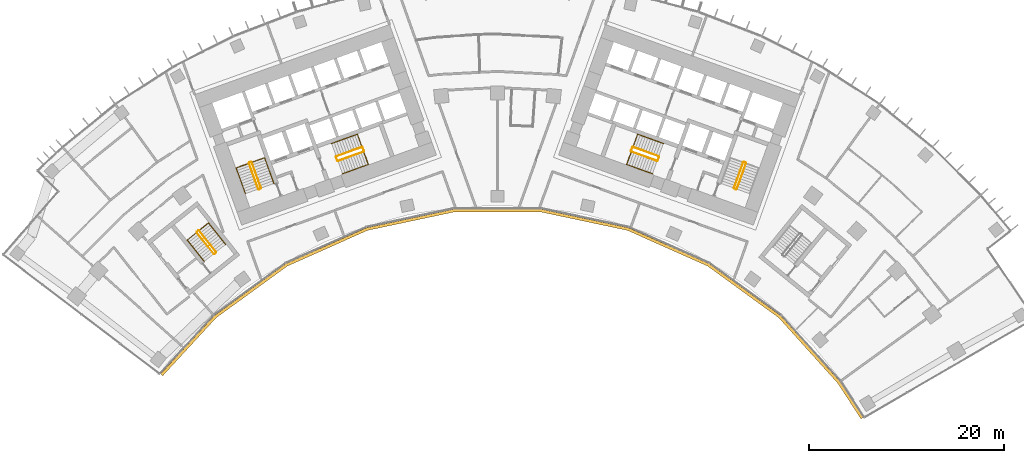
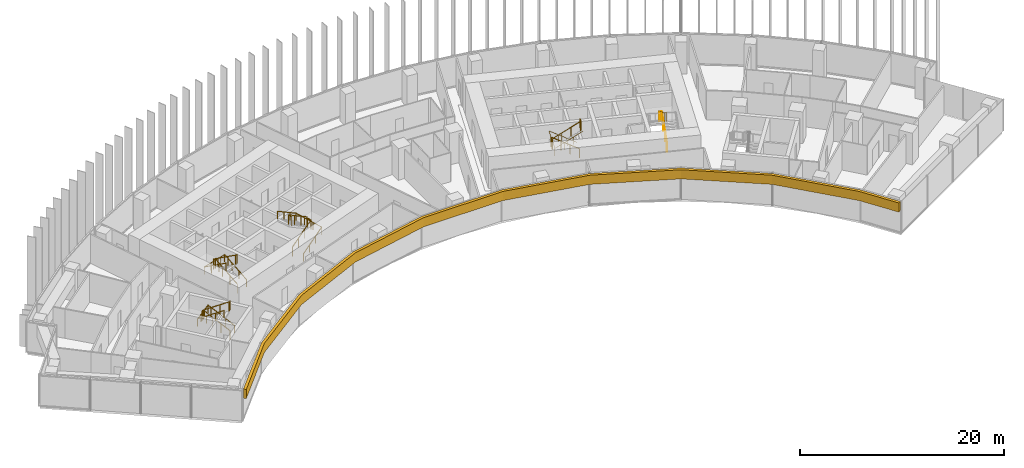
# One storey, part 22 of 23: 14 railings, 1 covering.
"""IFC4 building model written with IfcOpenShell, lengths in metres."""

from ifc_helpers import new_model, si_unit, direction, frame, origin, origin_2d, place, context, subcontext, project, spatial, polyline, circle, outline, extrude, material, layer, layer_set, type_object, element, save


model = new_model("IFC4")

# Units and contexts
model_context = context("Model", 3, precision=1e-05, world=origin(), true_north=direction((0.0, 1.0)))
body_context = subcontext(model_context, "Body", "Model", "MODEL_VIEW")
ifc_project = project(units=[si_unit("LENGTHUNIT", "METRE"), si_unit("AREAUNIT", "SQUARE_METRE"), si_unit("VOLUMEUNIT", "CUBIC_METRE"), si_unit("PLANEANGLEUNIT", "RADIAN"), si_unit("MASSUNIT", "GRAM", prefix="KILO")], contexts=[model_context])

# Site, building, storey
site_placement = place(None, origin())
site = spatial("IfcSite", under=ifc_project, at=site_placement, CompositionType="ELEMENT")
building_placement = place(site_placement, origin())
building = spatial("IfcBuilding", under=site, at=building_placement, Name="Stone Belt Terrace Tower", CompositionType="ELEMENT")
storey_placement = place(building_placement, frame((0.0, 0.0, 98.39990234375)))
storey = spatial("IfcBuildingStorey", under=building, at=storey_placement, Name="L23", CompositionType="ELEMENT", Elevation=98.39990234375)

# Railings
ifc_material_1 = material(Name="Structural steel C345", Category="steel")
railing_type_1 = type_object("IfcRailingType", Name="Stair guard 1100", PredefinedType="GUARDRAIL", material=ifc_material_1)
railing_1_placement = place(storey_placement, frame((-24.2119140625, 45.276123046875, 0.1728515625)))
element("IfcRailing", 1, at=railing_1_placement, inside=storey, type_object=railing_type_1, Name="L23 ST1A stair guard 1", PredefinedType="GUARDRAIL", context=body_context, shape_type="SweptSolid", body=[
    extrude(circle(Radius=0.02392578125, at=origin_2d()), frame((0.0, 0.0, 1.076171875), z_axis=(-0.288228637646, 0.800791768495, 0.525030280985), x_axis=(-0.940908529223, -0.338660803216, 0.0)), (0.0, 0.0, 1.0), 3.289794921875),
    extrude(circle(Radius=0.02392578125, at=origin_2d()), frame((-0.9482421875, 2.634521484375, 2.80322265625), z_axis=(-0.905209821074, 0.424964916, 0.0), x_axis=(-0.424964916, -0.905209821074, 0.0)), (0.0, 0.0, 1.0), 0.070556640625),
    extrude(circle(Radius=0.02392578125, at=origin_2d()), frame((-1.01220703125, 2.66455078125, 2.80322265625), z_axis=(-0.941105063269, -0.338114270461, 0.0), x_axis=(0.338114270461, -0.941105063269, 0.0)), (0.0, 0.0, 1.0), 0.199951171875),
    extrude(circle(Radius=0.02099609375, at=origin_2d()), origin(), (0.0, 0.0, 1.0), 1.052001953125),
    extrude(circle(Radius=0.02099609375, at=origin_2d()), frame((-0.316162109375, 0.878173828125, 0.57568359375)), (0.0, 0.0, 1.0), 1.052001953125),
    extrude(circle(Radius=0.02099609375, at=origin_2d()), frame((-0.632080078125, 1.75634765625, 1.151611328125)), (0.0, 0.0, 1.0), 1.052001953125),
    extrude(circle(Radius=0.02099609375, at=origin_2d()), frame((-0.9482421875, 2.634521484375, 1.727294921875)), (0.0, 0.0, 1.0), 1.052001953125),
    extrude(circle(Radius=0.02099609375, at=origin_2d()), frame((-1.01220703125, 2.66455078125, 1.727294921875)), (0.0, 0.0, 1.0), 1.052001953125),
    extrude(circle(Radius=0.02099609375, at=origin_2d()), frame((-1.200439453125, 2.596923828125, 1.727294921875)), (0.0, 0.0, 1.0), 1.052001953125),
])
railing_2_placement = place(storey_placement, frame((-25.4423828125, 47.80908203125, 2.07275390625)))
element("IfcRailing", 2, at=railing_2_placement, inside=storey, type_object=railing_type_1, Name="L23 ST1A stair guard 2", PredefinedType="GUARDRAIL", context=body_context, shape_type="SweptSolid", body=[
    extrude(circle(Radius=0.02392578125, at=origin_2d()), frame((0.0, 0.0, 1.076171875), z_axis=(0.288228637646, -0.800791768495, 0.525030280985), x_axis=(0.940908529223, 0.338660803216, 0.0)), (0.0, 0.0, 1.0), 3.289794921875),
    extrude(circle(Radius=0.02392578125, at=origin_2d()), frame((0.9482421875, -2.634521484375, 2.80322265625), z_axis=(0.903878284585, -0.427789722475, 0.0), x_axis=(0.427789722475, 0.903878284585, 0.0)), (0.0, 0.0, 1.0), 0.07080078125),
    extrude(circle(Radius=0.02392578125, at=origin_2d()), frame((1.01220703125, -2.664794921875, 2.80322265625), z_axis=(0.940575576748, 0.339584429008, 0.0), x_axis=(-0.339584429008, 0.940575576748, 0.0)), (0.0, 0.0, 1.0), 0.199951171875),
    extrude(circle(Radius=0.02099609375, at=origin_2d()), origin(), (0.0, 0.0, 1.0), 1.052001953125),
    extrude(circle(Radius=0.02099609375, at=origin_2d()), frame((0.316162109375, -0.878173828125, 0.57568359375)), (0.0, 0.0, 1.0), 1.052001953125),
    extrude(circle(Radius=0.02099609375, at=origin_2d()), frame((0.632080078125, -1.75634765625, 1.151611328125)), (0.0, 0.0, 1.0), 1.052001953125),
    extrude(circle(Radius=0.02099609375, at=origin_2d()), frame((0.9482421875, -2.634521484375, 1.727294921875)), (0.0, 0.0, 1.0), 1.052001953125),
    extrude(circle(Radius=0.02099609375, at=origin_2d()), frame((1.01220703125, -2.664794921875, 1.727294921875)), (0.0, 0.0, 1.0), 1.052001953125),
    extrude(circle(Radius=0.02099609375, at=origin_2d()), frame((1.2001953125, -2.596923828125, 1.727294921875)), (0.0, 0.0, 1.0), 1.052001953125),
])
railing_3_placement = place(storey_placement, frame((-16.33837890625, 48.056640625, 0.1728515625)))
element("IfcRailing", 3, at=railing_3_placement, inside=storey, type_object=railing_type_1, Name="L23 ST2A stair guard 1", PredefinedType="GUARDRAIL", context=body_context, shape_type="SweptSolid", body=[
    extrude(circle(Radius=0.02392578125, at=origin_2d()), frame((0.0, 0.0, 1.076171875), z_axis=(0.800808895155, 0.288160591223, 0.52504150989), x_axis=(-0.338583606334, 0.940936311087, 0.0)), (0.0, 0.0, 1.0), 3.289794921875),
    extrude(circle(Radius=0.02392578125, at=origin_2d()), frame((2.634521484375, 0.947998046875, 2.80322265625), z_axis=(0.427789722475, 0.903878284585, 0.0), x_axis=(-0.903878284585, 0.427789722475, 0.0)), (0.0, 0.0, 1.0), 0.07080078125),
    extrude(circle(Radius=0.02392578125, at=origin_2d()), frame((2.664794921875, 1.011962890625, 2.80322265625), z_axis=(-0.338654645739, 0.940910745459, 0.0), x_axis=(-0.940910745459, -0.338654645739, 0.0)), (0.0, 0.0, 1.0), 0.400146484375),
    extrude(circle(Radius=0.02099609375, at=origin_2d()), origin(), (0.0, 0.0, 1.0), 1.052001953125),
    extrude(circle(Radius=0.02099609375, at=origin_2d()), frame((0.878173828125, 0.31591796875, 0.57568359375)), (0.0, 0.0, 1.0), 1.052001953125),
    extrude(circle(Radius=0.02099609375, at=origin_2d()), frame((1.75634765625, 0.632080078125, 1.151611328125)), (0.0, 0.0, 1.0), 1.052001953125),
    extrude(circle(Radius=0.02099609375, at=origin_2d()), frame((2.634521484375, 0.947998046875, 1.727294921875)), (0.0, 0.0, 1.0), 1.052001953125),
    extrude(circle(Radius=0.02099609375, at=origin_2d()), frame((2.664794921875, 1.011962890625, 1.727294921875)), (0.0, 0.0, 1.0), 1.052001953125),
    extrude(circle(Radius=0.02099609375, at=origin_2d()), frame((2.529296875, 1.388427734375, 1.727294921875)), (0.0, 0.0, 1.0), 1.052001953125),
])
railing_4_placement = place(storey_placement, frame((-13.873046875, 49.47509765625, 2.07275390625)))
element("IfcRailing", 4, at=railing_4_placement, inside=storey, type_object=railing_type_1, Name="L23 ST2A stair guard 2", PredefinedType="GUARDRAIL", context=body_context, shape_type="SweptSolid", body=[
    extrude(circle(Radius=0.02392578125, at=origin_2d()), frame((0.0, 0.0, 1.076171875), z_axis=(-0.800808895155, -0.288160591223, 0.52504150989), x_axis=(0.338583606334, -0.940936311087, 0.0)), (0.0, 0.0, 1.0), 3.289794921875),
    extrude(circle(Radius=0.02392578125, at=origin_2d()), frame((-2.634521484375, -0.947998046875, 2.80322265625), z_axis=(-0.427789722475, -0.903878284585, 0.0), x_axis=(0.903878284585, -0.427789722475, 0.0)), (0.0, 0.0, 1.0), 0.07080078125),
    extrude(circle(Radius=0.02392578125, at=origin_2d()), frame((-2.664794921875, -1.011962890625, 2.80322265625), z_axis=(0.338654645739, -0.940910745459, 0.0), x_axis=(0.940910745459, 0.338654645739, 0.0)), (0.0, 0.0, 1.0), 0.400146484375),
    extrude(circle(Radius=0.02099609375, at=origin_2d()), origin(), (0.0, 0.0, 1.0), 1.052001953125),
    extrude(circle(Radius=0.02099609375, at=origin_2d()), frame((-0.878173828125, -0.31591796875, 0.57568359375)), (0.0, 0.0, 1.0), 1.052001953125),
    extrude(circle(Radius=0.02099609375, at=origin_2d()), frame((-1.75634765625, -0.632080078125, 1.151611328125)), (0.0, 0.0, 1.0), 1.052001953125),
    extrude(circle(Radius=0.02099609375, at=origin_2d()), frame((-2.634521484375, -0.947998046875, 1.727294921875)), (0.0, 0.0, 1.0), 1.052001953125),
    extrude(circle(Radius=0.02099609375, at=origin_2d()), frame((-2.664794921875, -1.011962890625, 1.727294921875)), (0.0, 0.0, 1.0), 1.052001953125),
    extrude(circle(Radius=0.02099609375, at=origin_2d()), frame((-2.529296875, -1.388427734375, 1.727294921875)), (0.0, 0.0, 1.0), 1.052001953125),
])
railing_5_placement = place(storey_placement, frame((24.494140625, 45.174560546875, 0.1728515625)))
element("IfcRailing", 5, at=railing_5_placement, inside=storey, type_object=railing_type_1, Name="L23 ST1B stair guard 1", PredefinedType="GUARDRAIL", context=body_context, shape_type="SweptSolid", body=[
    extrude(circle(Radius=0.02392578125, at=origin_2d()), frame((0.0, 0.0, 1.076171875), z_axis=(0.288228637646, 0.800791768495, 0.525030280985), x_axis=(-0.940908529223, 0.338660803216, 0.0)), (0.0, 0.0, 1.0), 3.289794921875),
    extrude(circle(Radius=0.02392578125, at=origin_2d()), frame((0.9482421875, 2.634521484375, 2.80322265625), z_axis=(-0.424964916, 0.905209821074, 0.0), x_axis=(-0.905209821074, -0.424964916, 0.0)), (0.0, 0.0, 1.0), 0.070556640625),
    extrude(circle(Radius=0.02392578125, at=origin_2d()), frame((0.918212890625, 2.698486328125, 2.80322265625), z_axis=(-0.941105063269, 0.338114270461, 0.0), x_axis=(-0.338114270461, -0.941105063269, 0.0)), (0.0, 0.0, 1.0), 0.199951171875),
    extrude(circle(Radius=0.02099609375, at=origin_2d()), origin(), (0.0, 0.0, 1.0), 1.052001953125),
    extrude(circle(Radius=0.02099609375, at=origin_2d()), frame((0.316162109375, 0.878173828125, 0.57568359375)), (0.0, 0.0, 1.0), 1.052001953125),
    extrude(circle(Radius=0.02099609375, at=origin_2d()), frame((0.632080078125, 1.75634765625, 1.151611328125)), (0.0, 0.0, 1.0), 1.052001953125),
    extrude(circle(Radius=0.02099609375, at=origin_2d()), frame((0.9482421875, 2.634521484375, 1.727294921875)), (0.0, 0.0, 1.0), 1.052001953125),
    extrude(circle(Radius=0.02099609375, at=origin_2d()), frame((0.918212890625, 2.698486328125, 1.727294921875)), (0.0, 0.0, 1.0), 1.052001953125),
    extrude(circle(Radius=0.02099609375, at=origin_2d()), frame((0.72998046875, 2.76611328125, 1.727294921875)), (0.0, 0.0, 1.0), 1.052001953125),
])
railing_6_placement = place(storey_placement, frame((25.16015625, 47.91064453125, 2.07275390625)))
element("IfcRailing", 6, at=railing_6_placement, inside=storey, type_object=railing_type_1, Name="L23 ST1B stair guard 2", PredefinedType="GUARDRAIL", context=body_context, shape_type="SweptSolid", body=[
    extrude(circle(Radius=0.02392578125, at=origin_2d()), frame((0.0, 0.0, 1.076171875), z_axis=(-0.288228637646, -0.800791768495, 0.525030280985), x_axis=(0.940908529223, -0.338660803216, 0.0)), (0.0, 0.0, 1.0), 3.289794921875),
    extrude(circle(Radius=0.02392578125, at=origin_2d()), frame((-0.9482421875, -2.634521484375, 2.80322265625), z_axis=(0.427789722475, -0.903878284585, 0.0), x_axis=(0.903878284585, 0.427789722475, 0.0)), (0.0, 0.0, 1.0), 0.07080078125),
    extrude(circle(Radius=0.02392578125, at=origin_2d()), frame((-0.91796875, -2.698486328125, 2.80322265625), z_axis=(0.940575576748, -0.339584429008, 0.0), x_axis=(0.339584429008, 0.940575576748, 0.0)), (0.0, 0.0, 1.0), 0.199951171875),
    extrude(circle(Radius=0.02099609375, at=origin_2d()), origin(), (0.0, 0.0, 1.0), 1.052001953125),
    extrude(circle(Radius=0.02099609375, at=origin_2d()), frame((-0.316162109375, -0.878173828125, 0.57568359375)), (0.0, 0.0, 1.0), 1.052001953125),
    extrude(circle(Radius=0.02099609375, at=origin_2d()), frame((-0.632080078125, -1.75634765625, 1.151611328125)), (0.0, 0.0, 1.0), 1.052001953125),
    extrude(circle(Radius=0.02099609375, at=origin_2d()), frame((-0.9482421875, -2.634521484375, 1.727294921875)), (0.0, 0.0, 1.0), 1.052001953125),
    extrude(circle(Radius=0.02099609375, at=origin_2d()), frame((-0.91796875, -2.698486328125, 1.727294921875)), (0.0, 0.0, 1.0), 1.052001953125),
    extrude(circle(Radius=0.02099609375, at=origin_2d()), frame((-0.72998046875, -2.766357421875, 1.727294921875)), (0.0, 0.0, 1.0), 1.052001953125),
])
railing_7_placement = place(storey_placement, frame((16.507568359375, 48.527099609375, 0.1728515625)))
element("IfcRailing", 7, at=railing_7_placement, inside=storey, type_object=railing_type_1, Name="L23 ST2B stair guard 1", PredefinedType="GUARDRAIL", context=body_context, shape_type="SweptSolid", body=[
    extrude(circle(Radius=0.02392578125, at=origin_2d()), frame((0.0, 0.0, 1.076171875), z_axis=(-0.800808895155, 0.288160591223, 0.52504150989), x_axis=(-0.338583606334, -0.940936311087, 0.0)), (0.0, 0.0, 1.0), 3.289794921875),
    extrude(circle(Radius=0.02392578125, at=origin_2d()), frame((-2.634521484375, 0.947998046875, 2.80322265625), z_axis=(-0.905209821074, -0.424964916, 0.0), x_axis=(0.424964916, -0.905209821074, 0.0)), (0.0, 0.0, 1.0), 0.070556640625),
    extrude(circle(Radius=0.02392578125, at=origin_2d()), frame((-2.698486328125, 0.91796875, 2.80322265625), z_axis=(-0.338654645739, -0.940910745459, 0.0), x_axis=(0.940910745459, -0.338654645739, 0.0)), (0.0, 0.0, 1.0), 0.400146484375),
    extrude(circle(Radius=0.02099609375, at=origin_2d()), origin(), (0.0, 0.0, 1.0), 1.052001953125),
    extrude(circle(Radius=0.02099609375, at=origin_2d()), frame((-0.878173828125, 0.31591796875, 0.57568359375)), (0.0, 0.0, 1.0), 1.052001953125),
    extrude(circle(Radius=0.02099609375, at=origin_2d()), frame((-1.75634765625, 0.632080078125, 1.151611328125)), (0.0, 0.0, 1.0), 1.052001953125),
    extrude(circle(Radius=0.02099609375, at=origin_2d()), frame((-2.634521484375, 0.947998046875, 1.727294921875)), (0.0, 0.0, 1.0), 1.052001953125),
    extrude(circle(Radius=0.02099609375, at=origin_2d()), frame((-2.698486328125, 0.91796875, 1.727294921875)), (0.0, 0.0, 1.0), 1.052001953125),
    extrude(circle(Radius=0.02099609375, at=origin_2d()), frame((-2.833984375, 0.54150390625, 1.727294921875)), (0.0, 0.0, 1.0), 1.052001953125),
])
railing_8_placement = place(storey_placement, frame((13.703857421875, 49.004638671875, 2.07275390625)))
element("IfcRailing", 8, at=railing_8_placement, inside=storey, type_object=railing_type_1, Name="L23 ST2B stair guard 2", PredefinedType="GUARDRAIL", context=body_context, shape_type="SweptSolid", body=[
    extrude(circle(Radius=0.02392578125, at=origin_2d()), frame((0.0, 0.0, 1.076171875), z_axis=(0.800808895155, -0.288160591223, 0.52504150989), x_axis=(0.338583606334, 0.940936311087, 0.0)), (0.0, 0.0, 1.0), 3.289794921875),
    extrude(circle(Radius=0.02392578125, at=origin_2d()), frame((2.634521484375, -0.947998046875, 2.80322265625), z_axis=(0.905209821074, 0.424964916, 0.0), x_axis=(-0.424964916, 0.905209821074, 0.0)), (0.0, 0.0, 1.0), 0.070556640625),
    extrude(circle(Radius=0.02392578125, at=origin_2d()), frame((2.698486328125, -0.91796875, 2.80322265625), z_axis=(0.338654645739, 0.940910745459, 0.0), x_axis=(-0.940910745459, 0.338654645739, 0.0)), (0.0, 0.0, 1.0), 0.400146484375),
    extrude(circle(Radius=0.02099609375, at=origin_2d()), origin(), (0.0, 0.0, 1.0), 1.052001953125),
    extrude(circle(Radius=0.02099609375, at=origin_2d()), frame((0.878173828125, -0.31591796875, 0.57568359375)), (0.0, 0.0, 1.0), 1.052001953125),
    extrude(circle(Radius=0.02099609375, at=origin_2d()), frame((1.75634765625, -0.632080078125, 1.151611328125)), (0.0, 0.0, 1.0), 1.052001953125),
    extrude(circle(Radius=0.02099609375, at=origin_2d()), frame((2.634521484375, -0.947998046875, 1.727294921875)), (0.0, 0.0, 1.0), 1.052001953125),
    extrude(circle(Radius=0.02099609375, at=origin_2d()), frame((2.698486328125, -0.91796875, 1.727294921875)), (0.0, 0.0, 1.0), 1.052001953125),
    extrude(circle(Radius=0.02099609375, at=origin_2d()), frame((2.833984375, -0.54150390625, 1.727294921875)), (0.0, 0.0, 1.0), 1.052001953125),
])
railing_9_placement = place(storey_placement, frame((-28.814208984375, 38.734619140625, 0.1728515625)))
element("IfcRailing", 9, at=railing_9_placement, inside=storey, type_object=railing_type_1, Name="L23 ST3A stair guard 1", PredefinedType="GUARDRAIL", context=body_context, shape_type="SweptSolid", body=[
    extrude(circle(Radius=0.02392578125, at=origin_2d()), frame((0.0, 0.0, 1.076171875), z_axis=(-0.530306321799, 0.665665785969, 0.525037395288), x_axis=(-0.782143211408, -0.623098705543, 0.0)), (0.0, 0.0, 1.0), 3.289794921875),
    extrude(circle(Radius=0.02392578125, at=origin_2d()), frame((-1.74462890625, 2.18994140625, 2.80322265625), z_axis=(-0.993883734674, 0.110431526075, 0.0), x_axis=(-0.110431526075, -0.993883734674, 0.0)), (0.0, 0.0, 1.0), 0.07080078125),
    extrude(circle(Radius=0.02392578125, at=origin_2d()), frame((-1.81494140625, 2.19775390625, 2.80322265625), z_axis=(-0.782533463299, -0.622608527742, 0.0), x_axis=(0.622608527742, -0.782533463299, 0.0)), (0.0, 0.0, 1.0), 0.199951171875),
    extrude(circle(Radius=0.02099609375, at=origin_2d()), origin(), (0.0, 0.0, 1.0), 1.052001953125),
    extrude(circle(Radius=0.02099609375, at=origin_2d()), frame((-0.58154296875, 0.72998046875, 0.57568359375)), (0.0, 0.0, 1.0), 1.052001953125),
    extrude(circle(Radius=0.02099609375, at=origin_2d()), frame((-1.1630859375, 1.4599609375, 1.151611328125)), (0.0, 0.0, 1.0), 1.052001953125),
    extrude(circle(Radius=0.02099609375, at=origin_2d()), frame((-1.74462890625, 2.18994140625, 1.727294921875)), (0.0, 0.0, 1.0), 1.052001953125),
    extrude(circle(Radius=0.02099609375, at=origin_2d()), frame((-1.81494140625, 2.19775390625, 1.727294921875)), (0.0, 0.0, 1.0), 1.052001953125),
    extrude(circle(Radius=0.02099609375, at=origin_2d()), frame((-1.971435546875, 2.0732421875, 1.727294921875)), (0.0, 0.0, 1.0), 1.052001953125),
])
railing_10_placement = place(storey_placement, frame((-30.793701171875, 40.737548828125, 2.07275390625)))
element("IfcRailing", 10, at=railing_10_placement, inside=storey, type_object=railing_type_1, Name="L23 ST3A stair guard 2", PredefinedType="GUARDRAIL", context=body_context, shape_type="SweptSolid", body=[
    extrude(circle(Radius=0.02392578125, at=origin_2d()), frame((0.0, 0.0, 1.076171875), z_axis=(0.530359659125, -0.665639588968, 0.525016732659), x_axis=(0.782100716982, 0.62315204284, 0.0)), (0.0, 0.0, 1.0), 3.2900390625),
    extrude(circle(Radius=0.02392578125, at=origin_2d()), frame((1.744873046875, -2.18994140625, 2.80322265625), z_axis=(0.993499272973, -0.113838458361, 0.0), x_axis=(0.113838458361, 0.993499272973, 0.0)), (0.0, 0.0, 1.0), 0.07080078125),
    extrude(circle(Radius=0.02392578125, at=origin_2d()), frame((1.815185546875, -2.197998046875, 2.80322265625), z_axis=(0.781464082609, 0.623950228458, 0.0), x_axis=(-0.623950228458, 0.781464082609, 0.0)), (0.0, 0.0, 1.0), 0.199951171875),
    extrude(circle(Radius=0.02099609375, at=origin_2d()), origin(), (0.0, 0.0, 1.0), 1.052001953125),
    extrude(circle(Radius=0.02099609375, at=origin_2d()), frame((0.58154296875, -0.72998046875, 0.57568359375)), (0.0, 0.0, 1.0), 1.052001953125),
    extrude(circle(Radius=0.02099609375, at=origin_2d()), frame((1.163330078125, -1.4599609375, 1.151611328125)), (0.0, 0.0, 1.0), 1.052001953125),
    extrude(circle(Radius=0.02099609375, at=origin_2d()), frame((1.744873046875, -2.18994140625, 1.727294921875)), (0.0, 0.0, 1.0), 1.052001953125),
    extrude(circle(Radius=0.02099609375, at=origin_2d()), frame((1.815185546875, -2.197998046875, 1.727294921875)), (0.0, 0.0, 1.0), 1.052001953125),
    extrude(circle(Radius=0.02099609375, at=origin_2d()), frame((1.971435546875, -2.0732421875, 1.727294921875)), (0.0, 0.0, 1.0), 1.052001953125),
])
railing_type_2 = type_object("IfcRailingType", Name="Stair handrail 900", PredefinedType="HANDRAIL", material=ifc_material_1)
railing_11_placement = place(storey_placement, frame((-22.894775390625, 45.750244140625, 0.1728515625)))
element("IfcRailing", 11, at=railing_11_placement, inside=storey, type_object=railing_type_2, Name="L23 ST1A stair handrail 1", PredefinedType="HANDRAIL", context=body_context, shape_type="SweptSolid", body=[
    extrude(circle(Radius=0.02392578125, at=origin_2d()), frame((0.0, 0.0, 0.8759765625), z_axis=(-0.288160591223, 0.800808895155, 0.52504150989), x_axis=(-0.940936311087, -0.338583606334, 0.0)), (0.0, 0.0, 1.0), 3.289794921875),
    extrude(circle(Radius=0.02392578125, at=origin_2d()), frame((-0.947998046875, 2.634521484375, 2.60302734375), z_axis=(-0.939464517435, -0.338106580597, 0.055591012205), x_axis=(0.338630230244, -0.940919532779, 0.0)), (0.0, 0.0, 1.0), 3.10498046875),
    extrude(circle(Radius=0.02392578125, at=origin_2d()), frame((-3.864990234375, 1.584716796875, 2.77587890625), z_axis=(0.288228637646, -0.800791768495, 0.525030280985), x_axis=(0.940908529223, 0.338660803216, 0.0)), (0.0, 0.0, 1.0), 3.289794921875),
    extrude(circle(Radius=0.02099609375, at=origin_2d()), origin(), (0.0, 0.0, 1.0), 0.851806640625),
    extrude(circle(Radius=0.02099609375, at=origin_2d()), frame((-0.31591796875, 0.878173828125, 0.57568359375)), (0.0, 0.0, 1.0), 0.851806640625),
    extrude(circle(Radius=0.02099609375, at=origin_2d()), frame((-0.632080078125, 1.75634765625, 1.151611328125)), (0.0, 0.0, 1.0), 0.851806640625),
    extrude(circle(Radius=0.02099609375, at=origin_2d()), frame((-0.947998046875, 2.634521484375, 1.727294921875)), (0.0, 0.0, 1.0), 0.851806640625),
    extrude(circle(Radius=0.02099609375, at=origin_2d()), frame((-1.92041015625, 2.28466796875, 1.784912109375)), (0.0, 0.0, 1.0), 0.851806640625),
    extrude(circle(Radius=0.02099609375, at=origin_2d()), frame((-2.892578125, 1.9345703125, 1.84228515625)), (0.0, 0.0, 1.0), 0.851806640625),
    extrude(circle(Radius=0.02099609375, at=origin_2d()), frame((-3.864990234375, 1.584716796875, 1.89990234375)), (0.0, 0.0, 1.0), 0.851806640625),
    extrude(circle(Radius=0.02099609375, at=origin_2d()), frame((-3.548828125, 0.70654296875, 2.4755859375)), (0.0, 0.0, 1.0), 0.851806640625),
    extrude(circle(Radius=0.02099609375, at=origin_2d()), frame((-3.23291015625, -0.171630859375, 3.051513671875)), (0.0, 0.0, 1.0), 0.851806640625),
    extrude(circle(Radius=0.02099609375, at=origin_2d()), frame((-2.916748046875, -1.0498046875, 3.627197265625)), (0.0, 0.0, 1.0), 0.851806640625),
])
railing_12_placement = place(storey_placement, frame((-15.8642578125, 46.7392578125, 0.1728515625)))
element("IfcRailing", 12, at=railing_12_placement, inside=storey, type_object=railing_type_2, Name="L23 ST2A stair handrail 1", PredefinedType="HANDRAIL", context=body_context, shape_type="SweptSolid", body=[
    extrude(circle(Radius=0.02392578125, at=origin_2d()), frame((0.0, 0.0, 0.8759765625), z_axis=(0.800791768495, 0.288228637646, 0.525030280985), x_axis=(-0.338660803216, 0.940908529223, 0.0)), (0.0, 0.0, 1.0), 3.289794921875),
    extrude(circle(Radius=0.02392578125, at=origin_2d()), frame((2.634521484375, 0.9482421875, 2.60302734375), z_axis=(-0.338160254016, 0.939637778147, 0.052234935458), x_axis=(-0.940922302781, -0.338622533404, 0.0)), (0.0, 0.0, 1.0), 3.304443359375),
    extrude(circle(Radius=0.02392578125, at=origin_2d()), frame((1.51708984375, 4.05322265625, 2.77587890625), z_axis=(-0.800791768495, -0.288228637646, 0.525030280985), x_axis=(0.338660803216, -0.940908529223, 0.0)), (0.0, 0.0, 1.0), 3.289794921875),
    extrude(circle(Radius=0.02099609375, at=origin_2d()), origin(), (0.0, 0.0, 1.0), 0.851806640625),
    extrude(circle(Radius=0.02099609375, at=origin_2d()), frame((0.878173828125, 0.316162109375, 0.57568359375)), (0.0, 0.0, 1.0), 0.851806640625),
    extrude(circle(Radius=0.02099609375, at=origin_2d()), frame((1.75634765625, 0.632080078125, 1.151611328125)), (0.0, 0.0, 1.0), 0.851806640625),
    extrude(circle(Radius=0.02099609375, at=origin_2d()), frame((2.634521484375, 0.9482421875, 1.727294921875)), (0.0, 0.0, 1.0), 0.851806640625),
    extrude(circle(Radius=0.02099609375, at=origin_2d()), frame((2.261962890625, 1.983154296875, 1.784912109375)), (0.0, 0.0, 1.0), 0.851806640625),
    extrude(circle(Radius=0.02099609375, at=origin_2d()), frame((1.8896484375, 3.018310546875, 1.84228515625)), (0.0, 0.0, 1.0), 0.851806640625),
    extrude(circle(Radius=0.02099609375, at=origin_2d()), frame((1.51708984375, 4.05322265625, 1.89990234375)), (0.0, 0.0, 1.0), 0.851806640625),
    extrude(circle(Radius=0.02099609375, at=origin_2d()), frame((0.638916015625, 3.737060546875, 2.4755859375)), (0.0, 0.0, 1.0), 0.851806640625),
    extrude(circle(Radius=0.02099609375, at=origin_2d()), frame((-0.2392578125, 3.421142578125, 3.051513671875)), (0.0, 0.0, 1.0), 0.851806640625),
    extrude(circle(Radius=0.02099609375, at=origin_2d()), frame((-1.117431640625, 3.10498046875, 3.627197265625)), (0.0, 0.0, 1.0), 0.851806640625),
])
railing_13_placement = place(storey_placement, frame((16.981689453125, 49.84423828125, 0.1728515625)))
element("IfcRailing", 13, at=railing_13_placement, inside=storey, type_object=railing_type_2, Name="L23 ST2B stair handrail 1", PredefinedType="HANDRAIL", context=body_context, shape_type="SweptSolid", body=[
    extrude(circle(Radius=0.02392578125, at=origin_2d()), frame((0.0, 0.0, 0.8759765625), z_axis=(-0.800791768495, 0.288228637646, 0.525030280985), x_axis=(-0.338660803216, -0.940908529223, 0.0)), (0.0, 0.0, 1.0), 3.289794921875),
    extrude(circle(Radius=0.02392578125, at=origin_2d()), frame((-2.634521484375, 0.9482421875, 2.60302734375), z_axis=(-0.338160254016, -0.939637778147, 0.052234935458), x_axis=(0.940922302781, -0.338622533404, 0.0)), (0.0, 0.0, 1.0), 3.304443359375),
    extrude(circle(Radius=0.02392578125, at=origin_2d()), frame((-3.751953125, -2.15673828125, 2.77587890625), z_axis=(0.800791768495, -0.288228637646, 0.525030280985), x_axis=(0.338660803216, 0.940908529223, 0.0)), (0.0, 0.0, 1.0), 3.289794921875),
    extrude(circle(Radius=0.02099609375, at=origin_2d()), origin(), (0.0, 0.0, 1.0), 0.851806640625),
    extrude(circle(Radius=0.02099609375, at=origin_2d()), frame((-0.878173828125, 0.316162109375, 0.57568359375)), (0.0, 0.0, 1.0), 0.851806640625),
    extrude(circle(Radius=0.02099609375, at=origin_2d()), frame((-1.75634765625, 0.632080078125, 1.151611328125)), (0.0, 0.0, 1.0), 0.851806640625),
    extrude(circle(Radius=0.02099609375, at=origin_2d()), frame((-2.634521484375, 0.9482421875, 1.727294921875)), (0.0, 0.0, 1.0), 0.851806640625),
    extrude(circle(Radius=0.02099609375, at=origin_2d()), frame((-3.007080078125, -0.086669921875, 1.784912109375)), (0.0, 0.0, 1.0), 0.851806640625),
    extrude(circle(Radius=0.02099609375, at=origin_2d()), frame((-3.37939453125, -1.121826171875, 1.84228515625)), (0.0, 0.0, 1.0), 0.851806640625),
    extrude(circle(Radius=0.02099609375, at=origin_2d()), frame((-3.751953125, -2.15673828125, 1.89990234375)), (0.0, 0.0, 1.0), 0.851806640625),
    extrude(circle(Radius=0.02099609375, at=origin_2d()), frame((-2.873779296875, -2.472900390625, 2.4755859375)), (0.0, 0.0, 1.0), 0.851806640625),
    extrude(circle(Radius=0.02099609375, at=origin_2d()), frame((-1.99560546875, -2.788818359375, 3.051513671875)), (0.0, 0.0, 1.0), 0.851806640625),
    extrude(circle(Radius=0.02099609375, at=origin_2d()), frame((-1.117431640625, -3.10498046875, 3.627197265625)), (0.0, 0.0, 1.0), 0.851806640625),
])
railing_14_placement = place(storey_placement, frame((-27.836669921875, 39.513427734375, 0.1728515625)))
element("IfcRailing", 14, at=railing_14_placement, inside=storey, type_object=railing_type_2, Name="L23 ST3A stair handrail 1", PredefinedType="HANDRAIL", context=body_context, shape_type="SweptSolid", body=[
    extrude(circle(Radius=0.02392578125, at=origin_2d()), frame((0.0, 0.0, 0.8759765625), z_axis=(-0.530306321799, 0.665665785969, 0.525037395288), x_axis=(-0.782143211408, -0.623098705543, 0.0)), (0.0, 0.0, 1.0), 3.289794921875),
    extrude(circle(Radius=0.02392578125, at=origin_2d()), frame((-1.74462890625, 2.18994140625, 2.60302734375), z_axis=(-0.780661215256, -0.62191806513, 0.061530376721), x_axis=(0.623098705543, -0.782143211408, 0.0)), (0.0, 0.0, 1.0), 2.80517578125),
    extrude(circle(Radius=0.02392578125, at=origin_2d()), frame((-3.9345703125, 0.4453125, 2.77587890625), z_axis=(0.530306321799, -0.665665785969, 0.525037395288), x_axis=(0.782143211408, 0.623098705543, 0.0)), (0.0, 0.0, 1.0), 3.289794921875),
    extrude(circle(Radius=0.02099609375, at=origin_2d()), origin(), (0.0, 0.0, 1.0), 0.851806640625),
    extrude(circle(Radius=0.02099609375, at=origin_2d()), frame((-0.58154296875, 0.72998046875, 0.57568359375)), (0.0, 0.0, 1.0), 0.851806640625),
    extrude(circle(Radius=0.02099609375, at=origin_2d()), frame((-1.1630859375, 1.4599609375, 1.151611328125)), (0.0, 0.0, 1.0), 0.851806640625),
    extrude(circle(Radius=0.02099609375, at=origin_2d()), frame((-1.74462890625, 2.18994140625, 1.727294921875)), (0.0, 0.0, 1.0), 0.851806640625),
    extrude(circle(Radius=0.02099609375, at=origin_2d()), frame((-2.474609375, 1.6083984375, 1.784912109375)), (0.0, 0.0, 1.0), 0.851806640625),
    extrude(circle(Radius=0.02099609375, at=origin_2d()), frame((-3.20458984375, 1.02685546875, 1.84228515625)), (0.0, 0.0, 1.0), 0.851806640625),
    extrude(circle(Radius=0.02099609375, at=origin_2d()), frame((-3.9345703125, 0.4453125, 1.89990234375)), (0.0, 0.0, 1.0), 0.851806640625),
    extrude(circle(Radius=0.02099609375, at=origin_2d()), frame((-3.35302734375, -0.28466796875, 2.4755859375)), (0.0, 0.0, 1.0), 0.851806640625),
    extrude(circle(Radius=0.02099609375, at=origin_2d()), frame((-2.771484375, -1.0146484375, 3.051513671875)), (0.0, 0.0, 1.0), 0.851806640625),
    extrude(circle(Radius=0.02099609375, at=origin_2d()), frame((-2.18994140625, -1.74462890625, 3.627197265625)), (0.0, 0.0, 1.0), 0.851806640625),
])

# Covering
ifc_material_2 = material(Name="Terracotta coloured glazed ceramic", Category="masonry")
ifc_layer = layer(ifc_material_2, 0.300048828125)
ifc_layer_set = layer_set([ifc_layer], Name="Terracotta spandrel band 300 x 1100")
covering_type = type_object("IfcCoveringType", Name="Terracotta spandrel band 300 x 1100", PredefinedType="CLADDING", material=ifc_layer_set)
covering_placement = place(storey_placement, frame((0.0, 0.0, 2.7001953125)))
element("IfcCovering", 15, at=covering_placement, inside=storey, type_object=covering_type, Name="BAND L23", PredefinedType="CLADDING", context=body_context, shape_type="SweptSolid", body=[
    extrude(outline(polyline([(-34.498291015625, 26.25146484375), (-29.0068359375, 32.214111328125), (-21.674560546875, 37.54150390625), (-13.395751953125, 41.2275390625), (-4.53125, 43.11181640625), (4.53125, 43.11181640625), (13.395751953125, 41.2275390625), (21.674560546875, 37.54150390625), (29.00634765625, 32.214599609375), (35.072998046875, 25.47705078125), (37.46875, 21.802001953125), (37.217529296875, 21.63818359375), (34.83447265625, 25.29345703125), (28.804443359375, 31.990478515625), (21.523681640625, 37.2802734375), (13.302490234375, 40.940673828125), (4.499755859375, 42.811767578125), (-4.499755859375, 42.811767578125), (-13.302490234375, 40.940673828125), (-21.523681640625, 37.2802734375), (-28.806396484375, 31.989013671875), (-34.277587890625, 26.04833984375), (-34.498291015625, 26.25146484375)])), origin(), (0.0, 0.0, 1.0), 1.099853515625),
])

save(model, "model.ifc")
